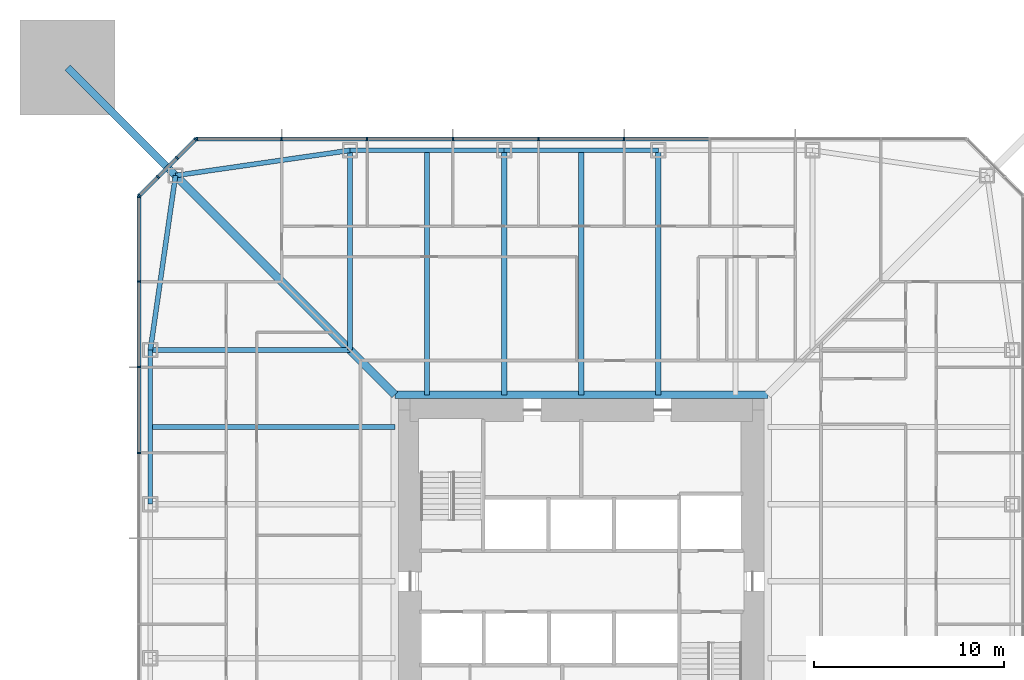
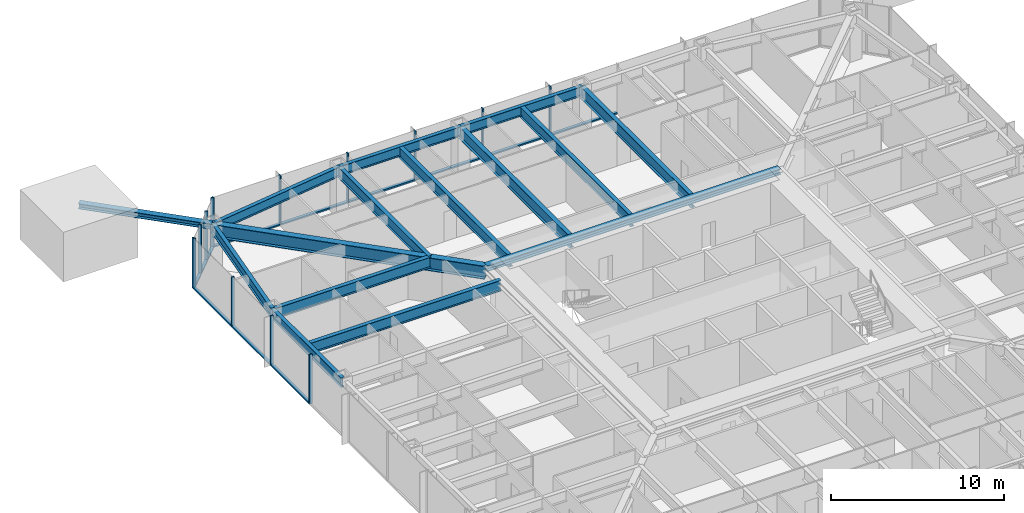
# One storey, part 6 of 26: 27 members, 14 beams, 3 elements without a shape of their own.
"""IFC4 building model written with IfcOpenShell, lengths in metres."""

from ifc_helpers import new_model, si_unit, direction, frame, origin, origin_2d, place, context, subcontext, project, spatial, rectangle, i_section, extrude, material, material_profile, profile_set, type_object, element, aggregate, save


model = new_model("IFC4")

# Units and contexts
model_context = context("Model", 3, precision=1e-05, world=origin(), true_north=direction((0.0, 1.0)))
body_context = subcontext(model_context, "Body", "Model", "MODEL_VIEW")
ifc_project = project(units=[si_unit("LENGTHUNIT", "METRE"), si_unit("AREAUNIT", "SQUARE_METRE"), si_unit("VOLUMEUNIT", "CUBIC_METRE"), si_unit("PLANEANGLEUNIT", "RADIAN"), si_unit("MASSUNIT", "GRAM", prefix="KILO")], contexts=[model_context])

# Site, building, storey
site_placement = place(None, origin())
site = spatial("IfcSite", under=ifc_project, at=site_placement, CompositionType="ELEMENT")
building_placement = place(site_placement, origin())
building = spatial("IfcBuilding", under=site, at=building_placement, Name="Iwan Alto Co-Living Towers", CompositionType="ELEMENT")
storey_placement = place(building_placement, frame((0.0, 0.0, 32.5)))
storey = spatial("IfcBuildingStorey", under=building, at=storey_placement, Name="L08", CompositionType="ELEMENT", Elevation=32.5)

# Curtain wall, members
ifc_material_1 = material(Name="Bronze aluminium unitised frame", Category="aluminium")
curtain_wall_type_1 = type_object("IfcCurtainWallType", Name="CURTAIN WALL CW-A", PredefinedType="NOTDEFINED", material=ifc_material_1)
curtain_wall_1_placement = place(storey_placement, origin())
curtain_wall_1 = element("IfcCurtainWall", 1, at=curtain_wall_1_placement, inside=storey, type_object=curtain_wall_type_1, Name="T1 curtain wall N L08", PredefinedType="NOTDEFINED")
ifc_material_2 = material(Name="Aluminium 6063-T6 bronze anodised", Category="aluminium")
ifc_material_profile_1 = material_profile(ifc_material_2, rectangle(XDim=0.199951171875, YDim=0.080078125, at=origin_2d()), Name="AL 80X200")
ifc_profile_set_1 = profile_set([ifc_material_profile_1], Name="Aluminium 6063-T6 bronze anodised")
member_type_1 = type_object("IfcMemberType", Name="CW-A MULLION 80X200", PredefinedType="MULLION", material=ifc_profile_set_1)
member_1_placement = place(storey_placement, frame((2.25, 23.25, 0.0), z_axis=(0.0, 0.0, 1.0), x_axis=(0.0, -1.0, 0.0)))
member_1 = element("IfcMember", 2, at=member_1_placement, type_object=member_type_1, Name="CW-A mullion 5", PredefinedType="MULLION", context=body_context, shape_type="SweptSolid", body=[
    extrude(rectangle(XDim=0.199951171875, YDim=0.080078125, at=origin_2d()), origin(), (0.0, 0.0, 1.0), 3.5),
])
member_2_placement = place(storey_placement, frame((-2.25, 23.25, 0.0), z_axis=(0.0, 0.0, 1.0), x_axis=(0.0, -1.0, 0.0)))
member_2 = element("IfcMember", 3, at=member_2_placement, type_object=member_type_1, Name="CW-A mullion 6", PredefinedType="MULLION", context=body_context, shape_type="SweptSolid", body=[
    extrude(rectangle(XDim=0.199951171875, YDim=0.080078125, at=origin_2d()), origin(), (0.0, 0.0, 1.0), 3.5),
])
member_3_placement = place(storey_placement, frame((-6.75, 23.25, 0.0), z_axis=(0.0, 0.0, 1.0), x_axis=(0.0, -1.0, 0.0)))
member_3 = element("IfcMember", 4, at=member_3_placement, type_object=member_type_1, Name="CW-A mullion 7", PredefinedType="MULLION", context=body_context, shape_type="SweptSolid", body=[
    extrude(rectangle(XDim=0.199951171875, YDim=0.080078125, at=origin_2d()), origin(), (0.0, 0.0, 1.0), 3.5),
])
member_4_placement = place(storey_placement, frame((-11.25, 23.25, 0.0), z_axis=(0.0, 0.0, 1.0), x_axis=(0.0, -1.0, 0.0)))
member_4 = element("IfcMember", 5, at=member_4_placement, type_object=member_type_1, Name="CW-A mullion 8", PredefinedType="MULLION", context=body_context, shape_type="SweptSolid", body=[
    extrude(rectangle(XDim=0.199951171875, YDim=0.080078125, at=origin_2d()), origin(), (0.0, 0.0, 1.0), 3.5),
])
member_5_placement = place(storey_placement, frame((-15.75, 23.25, 0.0), z_axis=(0.0, 0.0, 1.0), x_axis=(0.0, -1.0, 0.0)))
member_5 = element("IfcMember", 6, at=member_5_placement, type_object=member_type_1, Name="CW-A mullion 9", PredefinedType="MULLION", context=body_context, shape_type="SweptSolid", body=[
    extrude(rectangle(XDim=0.199951171875, YDim=0.080078125, at=origin_2d()), origin(), (0.0, 0.0, 1.0), 3.5),
])
member_6_placement = place(storey_placement, frame((-20.2099609375, 23.25, 0.0), z_axis=(0.0, 0.0, 1.0), x_axis=(0.0, -1.0, 0.0)))
member_6 = element("IfcMember", 7, at=member_6_placement, type_object=member_type_1, Name="CW-A mullion 10", PredefinedType="MULLION", context=body_context, shape_type="SweptSolid", body=[
    extrude(rectangle(XDim=0.199951171875, YDim=0.080078125, at=origin_2d()), origin(), (0.0, 0.0, 1.0), 3.5),
])

curtain_wall_2_placement = place(storey_placement, origin())
curtain_wall_2 = element("IfcCurtainWall", 8, at=curtain_wall_2_placement, inside=storey, type_object=curtain_wall_type_1, Name="T1 curtain wall W L08", PredefinedType="NOTDEFINED")
member_7_placement = place(storey_placement, frame((-23.25, 20.2099609375, 0.0), z_axis=(0.0, 0.0, 1.0), x_axis=(1.0, 0.0, 0.0)))
member_7 = element("IfcMember", 9, at=member_7_placement, type_object=member_type_1, Name="CW-A mullion 1", PredefinedType="MULLION", context=body_context, shape_type="SweptSolid", body=[
    extrude(rectangle(XDim=0.199951171875, YDim=0.080078125, at=origin_2d()), origin(), (0.0, 0.0, 1.0), 3.5),
])
member_8_placement = place(storey_placement, frame((-23.25, 15.75, 0.0), z_axis=(0.0, 0.0, 1.0), x_axis=(1.0, 0.0, 0.0)))
member_8 = element("IfcMember", 10, at=member_8_placement, type_object=member_type_1, Name="CW-A mullion 2", PredefinedType="MULLION", context=body_context, shape_type="SweptSolid", body=[
    extrude(rectangle(XDim=0.199951171875, YDim=0.080078125, at=origin_2d()), origin(), (0.0, 0.0, 1.0), 3.5),
])
member_9_placement = place(storey_placement, frame((-23.25, 11.25, 0.0), z_axis=(0.0, 0.0, 1.0), x_axis=(1.0, 0.0, 0.0)))
member_9 = element("IfcMember", 11, at=member_9_placement, type_object=member_type_1, Name="CW-A mullion 3", PredefinedType="MULLION", context=body_context, shape_type="SweptSolid", body=[
    extrude(rectangle(XDim=0.199951171875, YDim=0.080078125, at=origin_2d()), origin(), (0.0, 0.0, 1.0), 3.5),
])
member_10_placement = place(storey_placement, frame((-23.25, 6.75, 0.0), z_axis=(0.0, 0.0, 1.0), x_axis=(1.0, 0.0, 0.0)))
member_10 = element("IfcMember", 12, at=member_10_placement, type_object=member_type_1, Name="CW-A mullion 4", PredefinedType="MULLION", context=body_context, shape_type="SweptSolid", body=[
    extrude(rectangle(XDim=0.199951171875, YDim=0.080078125, at=origin_2d()), origin(), (0.0, 0.0, 1.0), 3.5),
])

# Member
ifc_material_3 = material(Name="Aluminium 6063-T6 bronze anodised", Category="aluminium")
ifc_material_profile_2 = material_profile(ifc_material_3, rectangle(XDim=0.199951171875, YDim=0.10009765625, at=origin_2d()), Name="AL 200X100")
ifc_profile_set_2 = profile_set([ifc_material_profile_2], Name="Aluminium 6063-T6 bronze anodised")
member_type_2 = type_object("IfcMemberType", Name="CW-A TRANSOM 200X100", PredefinedType="USERDEFINED", material=ifc_profile_set_2)
member_11_placement = place(storey_placement, frame((6.7099609375, 23.25, 0.050048828125), z_axis=(-1.0, 0.0, 0.0), x_axis=(0.0, -1.0, 0.0)))
member_11 = element("IfcMember", 13, at=member_11_placement, type_object=member_type_2, Name="CW-A transom 4.1", ObjectType="TRANSOM", PredefinedType="USERDEFINED", context=body_context, shape_type="SweptSolid", body=[
    extrude(rectangle(XDim=0.199951171875, YDim=0.10009765625, at=origin_2d()), origin(), (0.0, 0.0, 1.0), 4.419921875),
])

member_12_placement = place(storey_placement, frame((2.2099609375, 23.25, 0.050048828125), z_axis=(-1.0, 0.0, 0.0), x_axis=(0.0, -1.0, 0.0)))
member_12 = element("IfcMember", 14, at=member_12_placement, type_object=member_type_2, Name="CW-A transom 5.1", ObjectType="TRANSOM", PredefinedType="USERDEFINED", context=body_context, shape_type="SweptSolid", body=[
    extrude(rectangle(XDim=0.199951171875, YDim=0.10009765625, at=origin_2d()), origin(), (0.0, 0.0, 1.0), 4.419921875),
])

member_13_placement = place(storey_placement, frame((-2.2900390625, 23.25, 0.050048828125), z_axis=(-1.0, 0.0, 0.0), x_axis=(0.0, -1.0, 0.0)))
member_13 = element("IfcMember", 15, at=member_13_placement, type_object=member_type_2, Name="CW-A transom 6.1", ObjectType="TRANSOM", PredefinedType="USERDEFINED", context=body_context, shape_type="SweptSolid", body=[
    extrude(rectangle(XDim=0.199951171875, YDim=0.10009765625, at=origin_2d()), origin(), (0.0, 0.0, 1.0), 4.419921875),
])

member_14_placement = place(storey_placement, frame((-6.7900390625, 23.25, 0.050048828125), z_axis=(-1.0, 0.0, 0.0), x_axis=(0.0, -1.0, 0.0)))
member_14 = element("IfcMember", 16, at=member_14_placement, type_object=member_type_2, Name="CW-A transom 7.1", ObjectType="TRANSOM", PredefinedType="USERDEFINED", context=body_context, shape_type="SweptSolid", body=[
    extrude(rectangle(XDim=0.199951171875, YDim=0.10009765625, at=origin_2d()), origin(), (0.0, 0.0, 1.0), 4.419921875),
])

member_15_placement = place(storey_placement, frame((-11.2900390625, 23.25, 0.050048828125), z_axis=(-1.0, 0.0, 0.0), x_axis=(0.0, -1.0, 0.0)))
member_15 = element("IfcMember", 17, at=member_15_placement, type_object=member_type_2, Name="CW-A transom 8.1", ObjectType="TRANSOM", PredefinedType="USERDEFINED", context=body_context, shape_type="SweptSolid", body=[
    extrude(rectangle(XDim=0.199951171875, YDim=0.10009765625, at=origin_2d()), origin(), (0.0, 0.0, 1.0), 4.419921875),
])

member_16_placement = place(storey_placement, frame((-15.7900390625, 23.25, 0.050048828125), z_axis=(-1.0, 0.0, 0.0), x_axis=(0.0, -1.0, 0.0)))
member_16 = element("IfcMember", 18, at=member_16_placement, type_object=member_type_2, Name="CW-A transom 9.1", ObjectType="TRANSOM", PredefinedType="USERDEFINED", context=body_context, shape_type="SweptSolid", body=[
    extrude(rectangle(XDim=0.199951171875, YDim=0.10009765625, at=origin_2d()), origin(), (0.0, 0.0, 1.0), 4.3798828125),
])

aggregate(curtain_wall_1, [member_1, member_2, member_3, member_4, member_5, member_6, member_11, member_12, member_13, member_14, member_15, member_16])

member_17_placement = place(storey_placement, frame((-23.25, 20.169921875, 0.050048828125), z_axis=(0.0, -1.0, 0.0), x_axis=(1.0, 0.0, 0.0)))
member_17 = element("IfcMember", 19, at=member_17_placement, type_object=member_type_2, Name="CW-A transom 1.1", ObjectType="TRANSOM", PredefinedType="USERDEFINED", context=body_context, shape_type="SweptSolid", body=[
    extrude(rectangle(XDim=0.199951171875, YDim=0.10009765625, at=origin_2d()), origin(), (0.0, 0.0, 1.0), 4.3798828125),
])

member_18_placement = place(storey_placement, frame((-23.25, 15.7099609375, 0.050048828125), z_axis=(0.0, -1.0, 0.0), x_axis=(1.0, 0.0, 0.0)))
member_18 = element("IfcMember", 20, at=member_18_placement, type_object=member_type_2, Name="CW-A transom 2.1", ObjectType="TRANSOM", PredefinedType="USERDEFINED", context=body_context, shape_type="SweptSolid", body=[
    extrude(rectangle(XDim=0.199951171875, YDim=0.10009765625, at=origin_2d()), origin(), (0.0, 0.0, 1.0), 4.419921875),
])

member_19_placement = place(storey_placement, frame((-23.25, 11.2099609375, 0.050048828125), z_axis=(0.0, -1.0, 0.0), x_axis=(1.0, 0.0, 0.0)))
member_19 = element("IfcMember", 21, at=member_19_placement, type_object=member_type_2, Name="CW-A transom 3.1", ObjectType="TRANSOM", PredefinedType="USERDEFINED", context=body_context, shape_type="SweptSolid", body=[
    extrude(rectangle(XDim=0.199951171875, YDim=0.10009765625, at=origin_2d()), origin(), (0.0, 0.0, 1.0), 4.419921875),
])

aggregate(curtain_wall_2, [member_7, member_8, member_9, member_10, member_17, member_18, member_19])

# Curtain wall, members
ifc_material_4 = material(Name="Bronze aluminium unitised frame", Category="aluminium")
curtain_wall_type_2 = type_object("IfcCurtainWallType", Name="CURTAIN WALL CW-B", PredefinedType="NOTDEFINED", material=ifc_material_4)
curtain_wall_3_placement = place(storey_placement, origin())
curtain_wall_3 = element("IfcCurtainWall", 22, at=curtain_wall_3_placement, inside=storey, type_object=curtain_wall_type_2, Name="T1 chamfer curtain wall NW L08", PredefinedType="NOTDEFINED")
ifc_material_5 = material(Name="Aluminium 6063-T6 bronze anodised", Category="aluminium")
ifc_material_profile_3 = material_profile(ifc_material_5, rectangle(XDim=0.199951171875, YDim=0.080078125, at=origin_2d()), Name="AL 80X200")
ifc_profile_set_3 = profile_set([ifc_material_profile_3], Name="Aluminium 6063-T6 bronze anodised")
member_type_3 = type_object("IfcMemberType", Name="CW-B MULLION 80X200", PredefinedType="MULLION", material=ifc_profile_set_3)
member_20_placement = place(storey_placement, frame((-20.2783203125, 23.2216796875, 0.0), z_axis=(0.0, 0.0, 1.0), x_axis=(0.707106781187, -0.707106781187, 0.0)))
member_20 = element("IfcMember", 23, at=member_20_placement, type_object=member_type_3, Name="CW-B mullion 1", PredefinedType="MULLION", context=body_context, shape_type="SweptSolid", body=[
    extrude(rectangle(XDim=0.199951171875, YDim=0.080078125, at=origin_2d()), origin(), (0.0, 0.0, 1.0), 3.5),
])
member_21_placement = place(storey_placement, frame((-21.25, 22.25, 0.0), z_axis=(0.0, 0.0, 1.0), x_axis=(0.707106781187, -0.707106781187, 0.0)))
member_21 = element("IfcMember", 24, at=member_21_placement, type_object=member_type_3, Name="CW-B mullion 2", PredefinedType="MULLION", context=body_context, shape_type="SweptSolid", body=[
    extrude(rectangle(XDim=0.199951171875, YDim=0.080078125, at=origin_2d()), origin(), (0.0, 0.0, 1.0), 3.5),
])
member_22_placement = place(storey_placement, frame((-22.25, 21.25, 0.0), z_axis=(0.0, 0.0, 1.0), x_axis=(0.707106781187, -0.707106781187, 0.0)))
member_22 = element("IfcMember", 25, at=member_22_placement, type_object=member_type_3, Name="CW-B mullion 3", PredefinedType="MULLION", context=body_context, shape_type="SweptSolid", body=[
    extrude(rectangle(XDim=0.199951171875, YDim=0.080078125, at=origin_2d()), origin(), (0.0, 0.0, 1.0), 3.5),
])
member_23_placement = place(storey_placement, frame((-23.2216796875, 20.2783203125, 0.0), z_axis=(0.0, 0.0, 1.0), x_axis=(0.707106781187, -0.707106781187, 0.0)))
member_23 = element("IfcMember", 26, at=member_23_placement, type_object=member_type_3, Name="CW-B mullion 4", PredefinedType="MULLION", context=body_context, shape_type="SweptSolid", body=[
    extrude(rectangle(XDim=0.199951171875, YDim=0.080078125, at=origin_2d()), origin(), (0.0, 0.0, 1.0), 3.5),
])
ifc_material_6 = material(Name="Aluminium 6063-T6 bronze anodised", Category="aluminium")
ifc_material_profile_4 = material_profile(ifc_material_6, rectangle(XDim=0.199951171875, YDim=0.10009765625, at=origin_2d()), Name="AL 200X100")
ifc_profile_set_4 = profile_set([ifc_material_profile_4], Name="Aluminium 6063-T6 bronze anodised")
member_type_4 = type_object("IfcMemberType", Name="CW-B TRANSOM 200X100", PredefinedType="USERDEFINED", material=ifc_profile_set_4)
member_24_placement = place(storey_placement, frame((-20.306640625, 23.193359375, 0.050048828125), z_axis=(-0.707106781187, -0.707106781187, 0.0), x_axis=(0.707106781187, -0.707106781187, 0.0)))
member_24 = element("IfcMember", 27, at=member_24_placement, type_object=member_type_4, Name="CW-B transom 1.1", ObjectType="TRANSOM", PredefinedType="USERDEFINED", context=body_context, shape_type="SweptSolid", body=[
    extrude(rectangle(XDim=0.199951171875, YDim=0.10009765625, at=origin_2d()), origin(), (0.0, 0.0, 1.0), 1.2939453125),
])
member_25_placement = place(storey_placement, frame((-21.2783203125, 22.2216796875, 0.050048828125), z_axis=(-0.707106781187, -0.707106781187, 0.0), x_axis=(0.707106781187, -0.707106781187, 0.0)))
member_25 = element("IfcMember", 28, at=member_25_placement, type_object=member_type_4, Name="CW-B transom 2.1", ObjectType="TRANSOM", PredefinedType="USERDEFINED", context=body_context, shape_type="SweptSolid", body=[
    extrude(rectangle(XDim=0.199951171875, YDim=0.10009765625, at=origin_2d()), origin(), (0.0, 0.0, 1.0), 1.334228515625),
])
member_26_placement = place(storey_placement, frame((-22.2783203125, 21.2216796875, 0.050048828125), z_axis=(-0.707106781187, -0.707106781187, 0.0), x_axis=(0.707106781187, -0.707106781187, 0.0)))
member_26 = element("IfcMember", 29, at=member_26_placement, type_object=member_type_4, Name="CW-B transom 3.1", ObjectType="TRANSOM", PredefinedType="USERDEFINED", context=body_context, shape_type="SweptSolid", body=[
    extrude(rectangle(XDim=0.199951171875, YDim=0.10009765625, at=origin_2d()), origin(), (0.0, 0.0, 1.0), 1.2939453125),
])
aggregate(curtain_wall_3, [member_20, member_21, member_22, member_23, member_24, member_25, member_26])

# Beams
ifc_material_7 = material(Name="Steel ASTM A992 Gr 50", Category="steel")
ifc_material_profile_5 = material_profile(ifc_material_7, i_section(OverallWidth=0.40380859375, OverallDepth=0.406494140625, WebThickness=0.027099609375, FlangeThickness=0.043701171875, at=origin_2d()), Name="W14X233")
ifc_profile_set_5 = profile_set([ifc_material_profile_5], Name="Steel ASTM A992 Gr 50")
beam_type_1 = type_object("IfcBeamType", Name="T1 CORE LEDGER BEAM W14X233", PredefinedType="BEAM", material=ifc_profile_set_5)
beam_1_placement = place(storey_placement, frame((9.802001953125, 9.802001953125, 3.06689453125), z_axis=(-1.0, 0.0, 0.0), x_axis=(0.0, -1.0, 0.0)))
element("IfcBeam", 30, at=beam_1_placement, inside=storey, type_object=beam_type_1, Name="T1 core ledger beam N L09", PredefinedType="BEAM", context=body_context, shape_type="SweptSolid", body=[
    extrude(i_section(OverallWidth=0.40380859375, OverallDepth=0.406494140625, WebThickness=0.027099609375, FlangeThickness=0.043701171875, at=origin_2d()), origin(), (0.0, 0.0, 1.0), 19.60400390625),
])
ifc_material_8 = material(Name="Steel ASTM A992 Gr 50", Category="steel")
ifc_material_profile_6 = material_profile(ifc_material_8, i_section(OverallWidth=0.419189453125, OverallDepth=0.927001953125, WebThickness=0.019287109375, FlangeThickness=0.031982421875, at=origin_2d()), Name="W36X231")
ifc_profile_set_6 = profile_set([ifc_material_profile_6], Name="Steel ASTM A992 Gr 50")
beam_type_2 = type_object("IfcBeamType", Name="T1 CORNER GIRDER W36X231", PredefinedType="BEAM", material=ifc_profile_set_6)
beam_2_placement = place(storey_placement, frame((-21.32568359375, 21.32568359375, 2.806396484375), z_axis=(0.707106781187, -0.707106781187, 0.0), x_axis=(0.707106781187, 0.707106781187, 0.0)))
element("IfcBeam", 31, at=beam_2_placement, inside=storey, type_object=beam_type_2, Name="T1 corner girder CNW L09", PredefinedType="BEAM", context=body_context, shape_type="SweptSolid", body=[
    extrude(i_section(OverallWidth=0.419189453125, OverallDepth=0.927001953125, WebThickness=0.019287109375, FlangeThickness=0.031982421875, at=origin_2d()), origin(), (0.0, 0.0, 1.0), 16.296875),
])
ifc_material_9 = material(Name="Steel ASTM A992 Gr 50", Category="steel")
ifc_material_profile_7 = material_profile(ifc_material_9, i_section(OverallWidth=0.25390625, OverallDepth=0.683349609375, WebThickness=0.012451171875, FlangeThickness=0.018798828125, at=origin_2d()), Name="W27X94")
ifc_profile_set_7 = profile_set([ifc_material_profile_7], Name="Steel ASTM A992 Gr 50")
beam_type_3 = type_object("IfcBeamType", Name="T1 EDGE BEAM W27X94", PredefinedType="BEAM", material=ifc_profile_set_7)
beam_3_placement = place(storey_placement, frame((4.050048828125, 22.64990234375, 2.928466796875), z_axis=(-1.0, 0.0, 0.0), x_axis=(0.0, -1.0, 0.0)))
element("IfcBeam", 32, at=beam_3_placement, inside=storey, type_object=beam_type_3, Name="T1 edge beam N2 L09", PredefinedType="BEAM", context=body_context, shape_type="SweptSolid", body=[
    extrude(i_section(OverallWidth=0.25390625, OverallDepth=0.683349609375, WebThickness=0.012451171875, FlangeThickness=0.018798828125, at=origin_2d()), origin(), (0.0, 0.0, 1.0), 8.10009765625),
])
beam_4_placement = place(storey_placement, frame((-4.050048828125, 22.64990234375, 2.928466796875), z_axis=(-1.0, 0.0, 0.0), x_axis=(0.0, -1.0, 0.0)))
element("IfcBeam", 33, at=beam_4_placement, inside=storey, type_object=beam_type_3, Name="T1 edge beam N3 L09", PredefinedType="BEAM", context=body_context, shape_type="SweptSolid", body=[
    extrude(i_section(OverallWidth=0.25390625, OverallDepth=0.683349609375, WebThickness=0.012451171875, FlangeThickness=0.018798828125, at=origin_2d()), origin(), (0.0, 0.0, 1.0), 8.099853515625),
])
for number, where, z_axis, x_axis, name in (
    (34, (-12.14990234375, 22.64990234375, 2.928466796875), (-0.989746234347, -0.142836940589, 0.0), (0.142836940589, -0.989746234347, 0.0), "T1 edge beam N4 L09"),
    (35, (-21.32568359375, 21.32568359375, 2.928466796875), (-0.142836940589, -0.989746234347, 0.0), (0.989746234347, -0.142836940589, 0.0), "T1 edge beam CNW L09"),
):
    element("IfcBeam", number, at=place(storey_placement, frame(where, z_axis=z_axis, x_axis=x_axis)), inside=storey, type_object=beam_type_3, Name=name, PredefinedType="BEAM", context=body_context, shape_type="SweptSolid", body=[
        extrude(i_section(OverallWidth=0.25390625, OverallDepth=0.683349609375, WebThickness=0.012451171875, FlangeThickness=0.018798828125, at=origin_2d()), origin(), (0.0, 0.0, 1.0), 9.270751953125),
    ])
beam_5_placement = place(storey_placement, frame((-22.64990234375, 12.14990234375, 2.928466796875), z_axis=(0.0, -1.0, 0.0), x_axis=(1.0, 0.0, 0.0)))
element("IfcBeam", 36, at=beam_5_placement, inside=storey, type_object=beam_type_3, Name="T1 edge beam W1 L09", PredefinedType="BEAM", context=body_context, shape_type="SweptSolid", body=[
    extrude(i_section(OverallWidth=0.25390625, OverallDepth=0.683349609375, WebThickness=0.012451171875, FlangeThickness=0.018798828125, at=origin_2d()), origin(), (0.0, 0.0, 1.0), 8.099853515625),
])

# Member
ifc_material_10 = material(Name="Steel ASTM A992 Gr 50", Category="steel")
ifc_material_profile_8 = material_profile(ifc_material_10, i_section(OverallWidth=0.393798828125, OverallDepth=0.3759765625, WebThickness=0.017333984375, FlangeThickness=0.027587890625, at=origin_2d()), Name="W14X145")
ifc_profile_set_8 = profile_set([ifc_material_profile_8], Name="Steel ASTM A992 Gr 50")
member_type_5 = type_object("IfcMemberType", Name="T1 MEGA COLUMN FLOOR TIE W14X145", PredefinedType="STRUT", material=ifc_profile_set_8)
member_27_placement = place(storey_placement, frame((-27.0, 27.0, 3.08203125), z_axis=(0.707106781187, -0.707106781187, 0.0), x_axis=(0.707106781187, 0.707106781187, 0.0)))
element("IfcMember", 37, at=member_27_placement, inside=storey, type_object=member_type_5, Name="T1 mega column floor tie NW L09", PredefinedType="STRUT", context=body_context, shape_type="SweptSolid", body=[
    extrude(i_section(OverallWidth=0.393798828125, OverallDepth=0.3759765625, WebThickness=0.017333984375, FlangeThickness=0.027587890625, at=origin_2d()), origin(), (0.0, 0.0, 1.0), 8.024658203125),
])

# Beams
ifc_material_11 = material(Name="Steel ASTM A992 Gr 50", Category="steel")
ifc_material_profile_9 = material_profile(ifc_material_11, i_section(OverallWidth=0.2666015625, OverallDepth=0.761962890625, WebThickness=0.014404296875, FlangeThickness=0.021484375, at=origin_2d()), Name="W30X116")
ifc_profile_set_9 = profile_set([ifc_material_profile_9], Name="Steel ASTM A992 Gr 50")
beam_type_4 = type_object("IfcBeamType", Name="T1 RADIAL BEAM W30X116", PredefinedType="BEAM", material=ifc_profile_set_9)
for number, where, z_axis, x_axis, name in (
    (38, (-12.14990234375, 22.64990234375, 2.888916015625), (0.0, -1.0, 0.0), (1.0, 0.0, 0.0), "T1 radial beam N4 L09"),
    (39, (-22.64990234375, 12.14990234375, 2.888916015625), (1.0, 0.0, 0.0), (0.0, 1.0, 0.0), "T1 radial beam W1 L09"),
):
    element("IfcBeam", number, at=place(storey_placement, frame(where, z_axis=z_axis, x_axis=x_axis)), inside=storey, type_object=beam_type_4, Name=name, PredefinedType="BEAM", context=body_context, shape_type="SweptSolid", body=[
        extrude(i_section(OverallWidth=0.2666015625, OverallDepth=0.761962890625, WebThickness=0.014404296875, FlangeThickness=0.021484375, at=origin_2d()), origin(), (0.0, 0.0, 1.0), 10.5),
    ])
ifc_material_12 = material(Name="Steel ASTM A992 Gr 50", Category="steel")
ifc_material_profile_10 = material_profile(ifc_material_12, i_section(OverallWidth=0.2919921875, OverallDepth=0.8408203125, WebThickness=0.0146484375, FlangeThickness=0.021728515625, at=origin_2d()), Name="W33X130")
ifc_profile_set_10 = profile_set([ifc_material_profile_10], Name="Steel ASTM A992 Gr 50")
beam_type_5 = type_object("IfcBeamType", Name="T1 RADIAL BEAM W33X130", PredefinedType="BEAM", material=ifc_profile_set_10)
for number, where, z_axis, x_axis, name in (
    (40, (4.050048828125, 22.64990234375, 2.849609375), (0.0, -1.0, 0.0), (1.0, 0.0, 0.0), "T1 radial beam N2 L09"),
    (41, (-4.050048828125, 22.64990234375, 2.849609375), (0.0, -1.0, 0.0), (1.0, 0.0, 0.0), "T1 radial beam N3 L09"),
):
    element("IfcBeam", number, at=place(storey_placement, frame(where, z_axis=z_axis, x_axis=x_axis)), inside=storey, type_object=beam_type_5, Name=name, PredefinedType="BEAM", context=body_context, shape_type="SweptSolid", body=[
        extrude(i_section(OverallWidth=0.2919921875, OverallDepth=0.8408203125, WebThickness=0.0146484375, FlangeThickness=0.021728515625, at=origin_2d()), origin(), (0.0, 0.0, 1.0), 12.847900390625),
    ])
ifc_material_13 = material(Name="Steel ASTM A992 Gr 50", Category="steel")
ifc_material_profile_11 = material_profile(ifc_material_13, i_section(OverallWidth=0.2666015625, OverallDepth=0.761962890625, WebThickness=0.014404296875, FlangeThickness=0.021484375, at=origin_2d()), Name="W30X116")
ifc_profile_set_11 = profile_set([ifc_material_profile_11], Name="Steel ASTM A992 Gr 50")
beam_type_6 = type_object("IfcBeamType", Name="T1 SECONDARY BEAM W30X116", PredefinedType="JOIST", material=ifc_profile_set_11)
for number, where, z_axis, x_axis, name in (
    (42, (0.0, 22.64990234375, 2.888916015625), (0.0, -1.0, 0.0), (1.0, 0.0, 0.0), "T1 secondary beam N2 L09"),
    (43, (-8.10009765625, 22.64990234375, 2.888916015625), (0.0, -1.0, 0.0), (1.0, 0.0, 0.0), "T1 secondary beam N3 L09"),
    (44, (-22.64990234375, 8.10009765625, 2.888916015625), (1.0, 0.0, 0.0), (0.0, 1.0, 0.0), "T1 secondary beam W1 L09"),
):
    element("IfcBeam", number, at=place(storey_placement, frame(where, z_axis=z_axis, x_axis=x_axis)), inside=storey, type_object=beam_type_6, Name=name, PredefinedType="JOIST", context=body_context, shape_type="SweptSolid", body=[
        extrude(i_section(OverallWidth=0.2666015625, OverallDepth=0.761962890625, WebThickness=0.014404296875, FlangeThickness=0.021484375, at=origin_2d()), origin(), (0.0, 0.0, 1.0), 12.847900390625),
    ])

save(model, "model.ifc")
